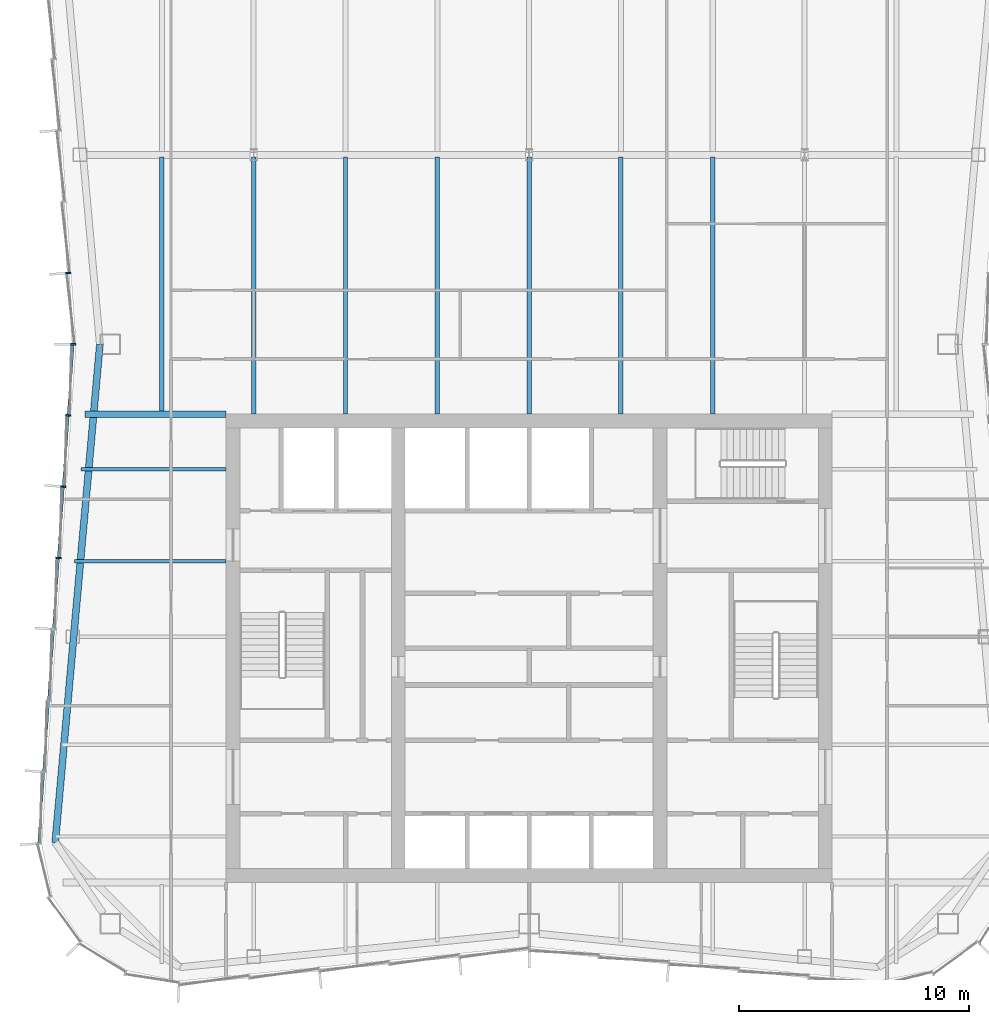
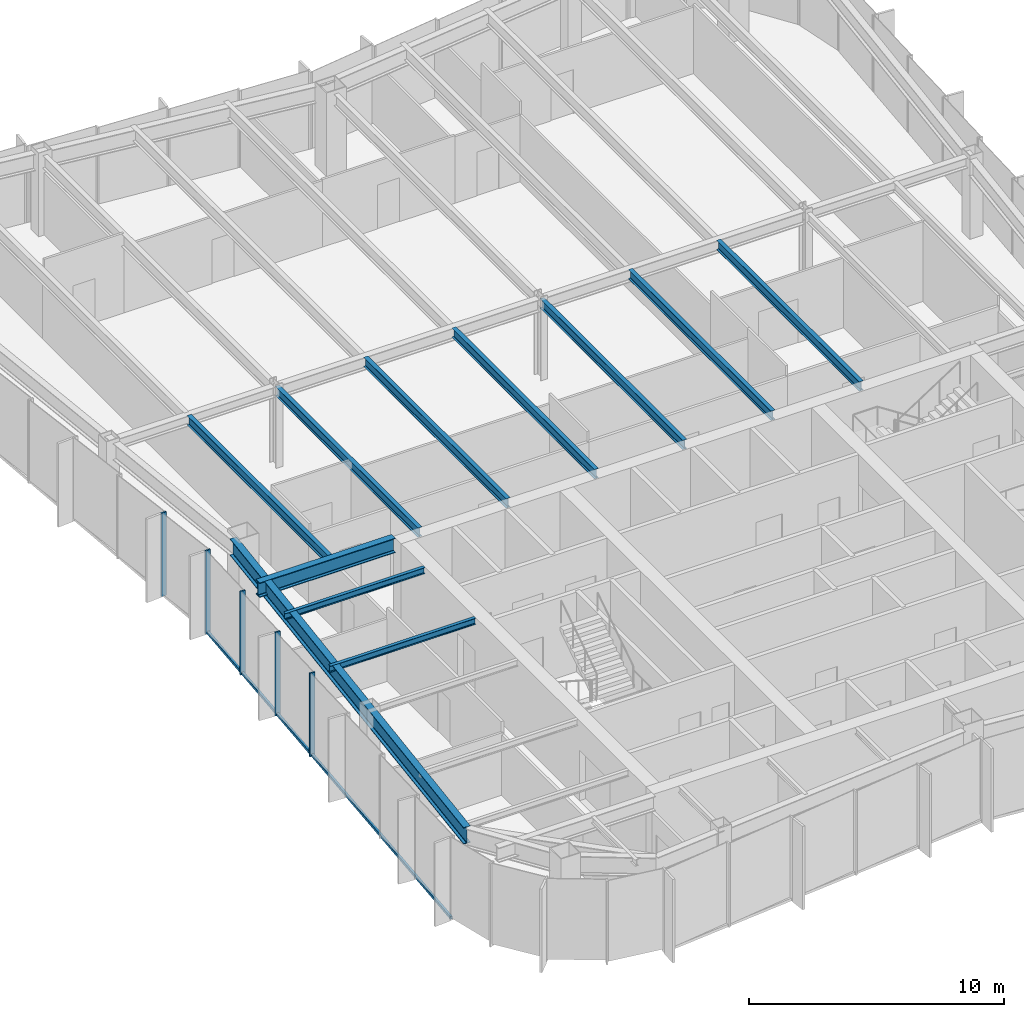
# One storey, part 4 of 13: 11 beams, 6 members, 1 element without a shape of its own.
"""IFC4 building model written with IfcOpenShell, lengths in metres."""

from ifc_helpers import new_model, si_unit, direction, frame, origin, origin_2d, place, context, subcontext, project, spatial, rectangle, i_section, extrude, material, material_profile, profile_set, type_object, element, aggregate, save


model = new_model("IFC4")

# Units and contexts
model_context = context("Model", 3, precision=1e-05, world=origin(), true_north=direction((0.0, 1.0)))
body_context = subcontext(model_context, "Body", "Model", "MODEL_VIEW")
ifc_project = project(units=[si_unit("LENGTHUNIT", "METRE"), si_unit("AREAUNIT", "SQUARE_METRE"), si_unit("VOLUMEUNIT", "CUBIC_METRE"), si_unit("PLANEANGLEUNIT", "RADIAN"), si_unit("MASSUNIT", "GRAM", prefix="KILO")], contexts=[model_context])

# Site, building, storey
site_placement = place(None, origin())
site = spatial("IfcSite", under=ifc_project, at=site_placement, CompositionType="ELEMENT")
building_placement = place(site_placement, origin())
building = spatial("IfcBuilding", under=site, at=building_placement, Name="Verdant Reach Tower", CompositionType="ELEMENT")
storey_placement = place(building_placement, frame((0.0, 0.0, 330.0)))
storey = spatial("IfcBuildingStorey", under=building, at=storey_placement, Name="L76", CompositionType="ELEMENT", Elevation=330.0)

# Curtain wall, members
ifc_material_1 = material(Name="Anodised aluminium", Category="aluminium")
curtain_wall_type = type_object("IfcCurtainWallType", Name="EN-CW SYSTEM Z5", PredefinedType="NOTDEFINED", material=ifc_material_1)
curtain_wall_placement = place(storey_placement, origin())
curtain_wall = element("IfcCurtainWall", 1, at=curtain_wall_placement, inside=storey, type_object=curtain_wall_type, Name="Curtain wall west, L76", PredefinedType="NOTDEFINED")
ifc_material_profile_1 = material_profile(ifc_material_1, rectangle(XDim=0.22998046875, YDim=0.070068359375, at=origin_2d()), Name="Mullion 70x230")
ifc_profile_set_1 = profile_set([ifc_material_profile_1], Name="Anodised aluminium")
member_type_1 = type_object("IfcMemberType", Name="EN-MULLION Z5", PredefinedType="MULLION", material=ifc_profile_set_1)
member_1_placement = place(storey_placement, frame((-20.0791015625, 44.34912109375, -0.35009765625), z_axis=(0.0, 0.0, 1.0), x_axis=(-0.997630328423, -0.068802091615, 0.0)))
member_1 = element("IfcMember", 2, at=member_1_placement, type_object=member_type_1, Name="Mullion west face part 1 7, L76", PredefinedType="MULLION", context=body_context, shape_type="SweptSolid", body=[
    extrude(rectangle(XDim=0.22998046875, YDim=0.070068359375, at=origin_2d()), origin(), (0.0, 0.0, 1.0), 4.0),
])
member_2_placement = place(storey_placement, frame((-19.864990234375, 41.25, -0.35009765625), z_axis=(0.0, 0.0, 1.0), x_axis=(-1.0, 0.0, 0.0)))
member_2 = element("IfcMember", 3, at=member_2_placement, type_object=member_type_1, Name="Mullion west face part 2 1, L76", PredefinedType="MULLION", context=body_context, shape_type="SweptSolid", body=[
    extrude(rectangle(XDim=0.22998046875, YDim=0.070068359375, at=origin_2d()), origin(), (0.0, 0.0, 1.0), 4.0),
])
member_3_placement = place(storey_placement, frame((-20.0791015625, 38.15087890625, -0.35009765625), z_axis=(0.0, 0.0, 1.0), x_axis=(-0.997630328423, 0.068802091615, 0.0)))
member_3 = element("IfcMember", 4, at=member_3_placement, type_object=member_type_1, Name="Mullion west face part 2 2, L76", PredefinedType="MULLION", context=body_context, shape_type="SweptSolid", body=[
    extrude(rectangle(XDim=0.22998046875, YDim=0.070068359375, at=origin_2d()), origin(), (0.0, 0.0, 1.0), 4.0),
])
member_4_placement = place(storey_placement, frame((-20.293212890625, 35.043701171875, -0.35009765625), z_axis=(0.0, 0.0, 1.0), x_axis=(-0.997630328423, 0.068802091615, 0.0)))
member_4 = element("IfcMember", 5, at=member_4_placement, type_object=member_type_1, Name="Mullion west face part 2 3, L76", PredefinedType="MULLION", context=body_context, shape_type="SweptSolid", body=[
    extrude(rectangle(XDim=0.22998046875, YDim=0.070068359375, at=origin_2d()), origin(), (0.0, 0.0, 1.0), 4.0),
])
member_5_placement = place(storey_placement, frame((-20.507568359375, 31.9365234375, -0.35009765625), z_axis=(0.0, 0.0, 1.0), x_axis=(-0.997630328423, 0.068802091615, 0.0)))
member_5 = element("IfcMember", 6, at=member_5_placement, type_object=member_type_1, Name="Mullion west face part 2 4, L76", PredefinedType="MULLION", context=body_context, shape_type="SweptSolid", body=[
    extrude(rectangle(XDim=0.22998046875, YDim=0.070068359375, at=origin_2d()), origin(), (0.0, 0.0, 1.0), 4.0),
])
ifc_material_profile_2 = material_profile(ifc_material_1, rectangle(XDim=0.10009765625, YDim=0.1298828125, at=origin_2d()), Name="Transom 130x100")
ifc_profile_set_2 = profile_set([ifc_material_profile_2], Name="Anodised aluminium")
member_type_2 = type_object("IfcMemberType", Name="EN-TRANSOM Z5", PredefinedType="USERDEFINED", material=ifc_profile_set_2)
member_6_placement = place(storey_placement, frame((-19.867431640625, 41.215087890625, -0.284912109375), z_axis=(-0.068764705107, -0.997632906099, 0.0), x_axis=(0.997632906099, -0.068764705107, 0.0)))
member_6 = element("IfcMember", 7, at=member_6_placement, type_object=member_type_2, Name="Transom west face part 2 1.1, L76", ObjectType="TRANSOM", PredefinedType="USERDEFINED", context=body_context, shape_type="SweptSolid", body=[
    extrude(rectangle(XDim=0.10009765625, YDim=0.1298828125, at=origin_2d()), origin(), (0.0, 0.0, 1.0), 21.739013671875),
])
aggregate(curtain_wall, [member_1, member_2, member_3, member_4, member_5, member_6])

# Beams
ifc_material_2 = material(Name="Steel S355", Category="steel")
ifc_material_profile_3 = material_profile(ifc_material_2, i_section(OverallWidth=0.300048828125, OverallDepth=0.699951171875, WebThickness=0.01708984375, FlangeThickness=0.031982421875, FilletRadius=0.027099609375, at=origin_2d()), Name="HEB 700")
ifc_profile_set_3 = profile_set([ifc_material_profile_3], Name="Steel S355")
beam_type_1 = type_object("IfcBeamType", Name="ST-BEAM-HEB700", PredefinedType="BEAM", material=ifc_profile_set_3)
beam_1_placement = place(storey_placement, frame((-13.199951171875, 38.199951171875, 3.469970703125), z_axis=(-1.0, 0.0, 0.0), x_axis=(0.0, -1.0, 0.0)))
element("IfcBeam", 8, at=beam_1_placement, inside=storey, type_object=beam_type_1, Name="Trimmer beam, L76", PredefinedType="BEAM", context=body_context, shape_type="SweptSolid", body=[
    extrude(i_section(OverallWidth=0.300048828125, OverallDepth=0.699951171875, WebThickness=0.01708984375, FlangeThickness=0.031982421875, FilletRadius=0.027099609375, at=origin_2d()), origin(), (0.0, 0.0, 1.0), 6.158935546875),
])
ifc_material_profile_4 = material_profile(ifc_material_2, i_section(OverallWidth=0.14990234375, OverallDepth=0.300048828125, WebThickness=0.007080078125, FlangeThickness=0.0107421875, FilletRadius=0.014892578125, at=origin_2d()), Name="IPE 300")
ifc_profile_set_4 = profile_set([ifc_material_profile_4], Name="Steel S355")
beam_type_2 = type_object("IfcBeamType", Name="ST-JOIST-IPE300", PredefinedType="JOIST", material=ifc_profile_set_4)
beam_2_placement = place(storey_placement, frame((-13.199951171875, 31.800048828125, 3.669921875), z_axis=(-1.0, 0.0, 0.0), x_axis=(0.0, -1.0, 0.0)))
element("IfcBeam", 9, at=beam_2_placement, inside=storey, type_object=beam_type_2, Name="Floor joist, L76", PredefinedType="JOIST", context=body_context, shape_type="SweptSolid", body=[
    extrude(i_section(OverallWidth=0.14990234375, OverallDepth=0.300048828125, WebThickness=0.007080078125, FlangeThickness=0.0107421875, FilletRadius=0.014892578125, at=origin_2d()), origin(), (0.0, 0.0, 1.0), 6.600341796875),
])
beam_3_placement = place(storey_placement, frame((-13.199951171875, 35.800048828125, 3.669921875), z_axis=(-1.0, 0.0, 0.0), x_axis=(0.0, -1.0, 0.0)))
element("IfcBeam", 10, at=beam_3_placement, inside=storey, type_object=beam_type_2, Name="Floor joist, L76", PredefinedType="JOIST", context=body_context, shape_type="SweptSolid", body=[
    extrude(i_section(OverallWidth=0.14990234375, OverallDepth=0.300048828125, WebThickness=0.007080078125, FlangeThickness=0.0107421875, FilletRadius=0.014892578125, at=origin_2d()), origin(), (0.0, 0.0, 1.0), 6.324462890625),
])
ifc_material_profile_5 = material_profile(ifc_material_2, i_section(OverallWidth=0.18994140625, OverallDepth=0.449951171875, WebThickness=0.009521484375, FlangeThickness=0.0146484375, FilletRadius=0.02099609375, at=origin_2d()), Name="IPE 450")
ifc_profile_set_5 = profile_set([ifc_material_profile_5], Name="Steel S355")
beam_type_3 = type_object("IfcBeamType", Name="ST-JOIST-IPE450", PredefinedType="JOIST", material=ifc_profile_set_5)
beam_4_placement = place(storey_placement, frame((-16.0, 38.300048828125, 3.594970703125), z_axis=(0.0, 1.0, 0.0), x_axis=(-1.0, 0.0, 0.0)))
element("IfcBeam", 11, at=beam_4_placement, inside=storey, type_object=beam_type_3, Name="Floor joist, L76", PredefinedType="JOIST", context=body_context, shape_type="SweptSolid", body=[
    extrude(i_section(OverallWidth=0.18994140625, OverallDepth=0.449951171875, WebThickness=0.009521484375, FlangeThickness=0.0146484375, FilletRadius=0.02099609375, at=origin_2d()), origin(), (0.0, 0.0, 1.0), 11.099853515625),
])
for number, where, z_axis, x_axis, name in (
    (12, (-12.0, 38.199951171875, 3.594970703125), (0.0, 1.0, 0.0), (-1.0, 0.0, 0.0), "Floor joist, L76"),
    (13, (-8.0, 38.199951171875, 3.594970703125), (0.0, 1.0, 0.0), (-1.0, 0.0, 0.0), "Floor joist, L76"),
    (14, (-4.0, 38.199951171875, 3.594970703125), (0.0, 1.0, 0.0), (-1.0, 0.0, 0.0), "Floor joist, L76"),
    (15, (0.0, 38.199951171875, 3.594970703125), (0.0, 1.0, 0.0), (-1.0, 0.0, 0.0), "Floor joist, L76"),
    (16, (4.0, 38.199951171875, 3.594970703125), (0.0, 1.0, 0.0), (-1.0, 0.0, 0.0), "Floor joist, L76"),
    (17, (8.0, 38.199951171875, 3.594970703125), (0.0, 1.0, 0.0), (-1.0, 0.0, 0.0), "Floor joist, L76"),
):
    element("IfcBeam", number, at=place(storey_placement, frame(where, z_axis=z_axis, x_axis=x_axis)), inside=storey, type_object=beam_type_3, Name=name, PredefinedType="JOIST", context=body_context, shape_type="SweptSolid", body=[
        extrude(i_section(OverallWidth=0.18994140625, OverallDepth=0.449951171875, WebThickness=0.009521484375, FlangeThickness=0.0146484375, FilletRadius=0.02099609375, at=origin_2d()), origin(), (0.0, 0.0, 1.0), 11.199951171875),
    ])
ifc_material_profile_6 = material_profile(ifc_material_2, i_section(OverallWidth=0.300048828125, OverallDepth=0.800048828125, WebThickness=0.017578125, FlangeThickness=0.032958984375, FilletRadius=0.030029296875, at=origin_2d()), Name="HEB 800")
ifc_profile_set_6 = profile_set([ifc_material_profile_6], Name="Steel S355")
beam_type_4 = type_object("IfcBeamType", Name="ST-SPANDREL-HEB800", PredefinedType="SPANDREL", material=ifc_profile_set_6)
beam_5_placement = place(storey_placement, frame((-20.64599609375, 19.53857421875, 3.419921875), z_axis=(0.089274399498, 0.996007069048, 0.0), x_axis=(-0.996007069048, 0.089274399498, 0.0)))
element("IfcBeam", 18, at=beam_5_placement, inside=storey, type_object=beam_type_4, Name="Edge beam, L76", PredefinedType="SPANDREL", context=body_context, shape_type="SweptSolid", body=[
    extrude(i_section(OverallWidth=0.300048828125, OverallDepth=0.800048828125, WebThickness=0.017578125, FlangeThickness=0.032958984375, FilletRadius=0.030029296875, at=origin_2d()), origin(), (0.0, 0.0, 1.0), 21.798583984375),
])

save(model, "model.ifc")
